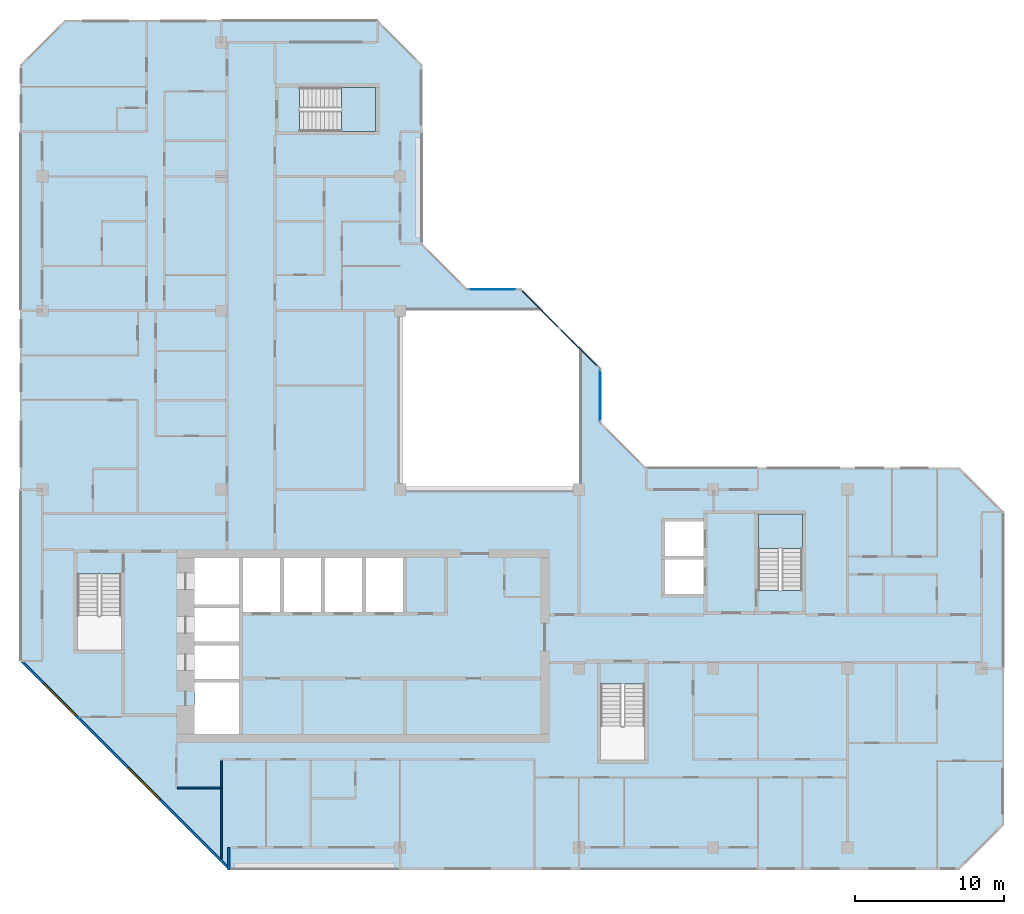
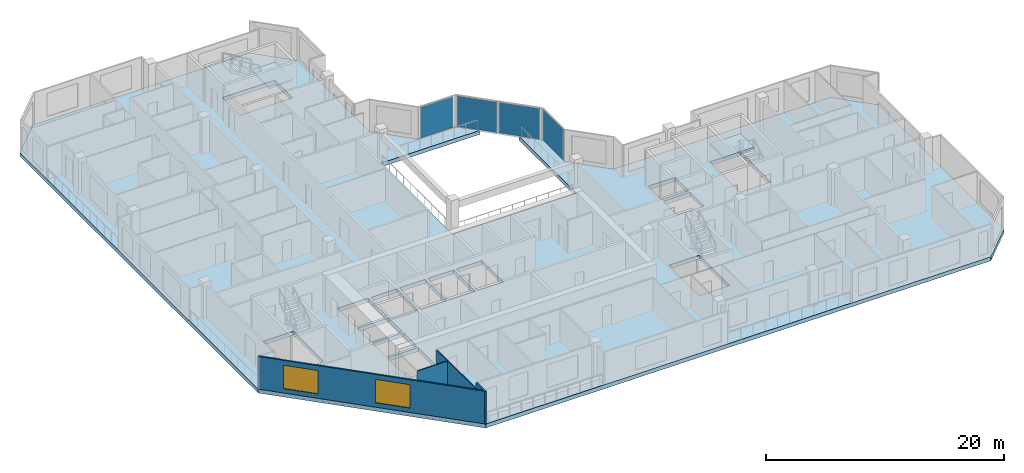
# One storey, part 3 of 13: 4 plates, 4 walls, 3 slabs, 2 windows, 2 openings, 5 elements without a shape of their own.
"""IFC4 building model written with IfcOpenShell, lengths in metres."""

from ifc_helpers import new_model, si_unit, direction, frame, frame_2d, origin, origin_2d, place, context, subcontext, project, spatial, polyline, rectangle, outline, extrude, material, layer, layer_set, type_object, element, fill, aggregate, save


model = new_model("IFC4")

# Units and contexts
model_context = context("Model", 3, precision=1e-05, world=origin(), true_north=direction((0.0, 1.0)))
body_context = subcontext(model_context, "Body", "Model", "MODEL_VIEW")
ifc_project = project(units=[si_unit("LENGTHUNIT", "METRE"), si_unit("AREAUNIT", "SQUARE_METRE"), si_unit("VOLUMEUNIT", "CUBIC_METRE"), si_unit("PLANEANGLEUNIT", "RADIAN"), si_unit("MASSUNIT", "GRAM", prefix="KILO")], contexts=[model_context])

# Site, building, storey
site_placement = place(None, origin())
site = spatial("IfcSite", under=ifc_project, at=site_placement, CompositionType="ELEMENT")
building_placement = place(site_placement, origin())
building = spatial("IfcBuilding", under=site, at=building_placement, Name="Chenar Terraces", CompositionType="ELEMENT")
storey_placement = place(building_placement, frame((0.0, 0.0, 314.64990234375)))
storey = spatial("IfcBuildingStorey", under=building, at=storey_placement, Name="L74", CompositionType="ELEMENT", Elevation=314.64990234375)

# Curtain wall, plate
ifc_material_1 = material(Name="Aluminium framed glazing", Category="aluminium")
ifc_layer_1 = layer(ifc_material_1, 0.14990234375)
ifc_layer_set_1 = layer_set([ifc_layer_1], Name="Aluminium framed glazing")
curtain_wall_type = type_object("IfcCurtainWallType", Name="Atrium upper-zone curtain wall", PredefinedType="NOTDEFINED", material=ifc_layer_set_1)
placement_1 = place(storey_placement, origin())
curtain_wall_1 = element("IfcCurtainWall", 1, at=placement_1, inside=storey, type_object=curtain_wall_type, Name="Atrium upper-zone curtain wall", PredefinedType="NOTDEFINED")
ifc_material_2 = material(Name="Low emissivity laminated glass, solar control coating", Category="glass")
ifc_layer_2 = layer(ifc_material_2, 0.050048828125)
ifc_layer_set_2 = layer_set([ifc_layer_2], Name="Low emissivity laminated glass, solar control coating")
plate_type = type_object("IfcPlateType", Name="Atrium upper-zone glazing panel 50", PredefinedType="CURTAIN_PANEL", material=ifc_layer_set_2)
plate_1_placement = place(storey_placement, frame((37.425048828125, 30.300048828125, 0.10009765625), z_axis=(0.0, 0.0, 1.0), x_axis=(0.0, 1.0, 0.0)))
plate_1 = element("IfcPlate", 2, at=plate_1_placement, type_object=plate_type, Name="CW8-1 panel 1.1", PredefinedType="CURTAIN_PANEL", context=body_context, shape_type="SweptSolid", body=[
    extrude(rectangle(XDim=3.39990234375, YDim=0.050048828125, at=origin_2d()), origin(), (0.0, 0.0, 1.0), 3.14990234375),
])
aggregate(curtain_wall_1, [plate_1])

# Curtain wall, plates
curtain_wall_2 = element("IfcCurtainWall", 3, at=placement_1, inside=storey, type_object=curtain_wall_type, Name="Atrium upper-zone curtain wall", PredefinedType="NOTDEFINED")
plate_2_placement = place(storey_placement, frame((35.97314453125, 33.520751953125, 0.10009765625), z_axis=(0.0, 0.0, 1.0), x_axis=(-0.707106781187, 0.707106781187, 0.0)))
plate_2 = element("IfcPlate", 4, at=plate_2_placement, type_object=plate_type, Name="CW8-2 panel 1.1", PredefinedType="CURTAIN_PANEL", context=body_context, shape_type="SweptSolid", body=[
    extrude(rectangle(XDim=3.568359375, YDim=0.050048828125, at=origin_2d()), origin(), (0.0, 0.0, 1.0), 3.14990234375),
])
plate_3_placement = place(storey_placement, frame((33.379150390625, 36.11474609375, 0.10009765625), z_axis=(0.0, 0.0, 1.0), x_axis=(-0.707106781187, 0.707106781187, 0.0)))
plate_3 = element("IfcPlate", 5, at=plate_3_placement, type_object=plate_type, Name="CW8-2 panel 2.1", PredefinedType="CURTAIN_PANEL", context=body_context, shape_type="SweptSolid", body=[
    extrude(rectangle(XDim=3.568359375, YDim=0.050048828125, at=origin_2d()), origin(), (0.0, 0.0, 1.0), 3.14990234375),
])
aggregate(curtain_wall_2, [plate_2, plate_3])

# Curtain wall, plate
curtain_wall_3 = element("IfcCurtainWall", 6, at=placement_1, inside=storey, type_object=curtain_wall_type, Name="Atrium upper-zone curtain wall", PredefinedType="NOTDEFINED")
plate_4_placement = place(storey_placement, frame((30.199951171875, 37.425048828125, 0.10009765625), z_axis=(0.0, 0.0, 1.0), x_axis=(-1.0, 0.0, 0.0)))
plate_4 = element("IfcPlate", 7, at=plate_4_placement, type_object=plate_type, Name="CW8-3 panel 1.1", PredefinedType="CURTAIN_PANEL", context=body_context, shape_type="SweptSolid", body=[
    extrude(rectangle(XDim=3.199951171875, YDim=0.050048828125, at=origin_2d()), origin(), (0.0, 0.0, 1.0), 3.14990234375),
])
aggregate(curtain_wall_3, [plate_4])

# Stair, slab
ifc_material_3 = material(Name="Reinforced concrete C40/50", Category="concrete")
stair_type = type_object("IfcStairType", Name="Core stair 1400 half-turn", PredefinedType="HALF_TURN_STAIR", material=ifc_material_3)
stair_1 = element("IfcStair", 8, at=placement_1, inside=storey, type_object=stair_type, Name="L74 Stair 3", PredefinedType="HALF_TURN_STAIR")
ifc_material_4 = material(Name="Reinforced concrete C40/50", Category="concrete")
ifc_layer_3 = layer(ifc_material_4, 0.199951171875)
ifc_layer_set_3 = layer_set([ifc_layer_3], Name="Reinforced concrete C40/50")
slab_type_1 = type_object("IfcSlabType", Name="Core stair landing 200", PredefinedType="LANDING", material=ifc_layer_set_3)
placement_2 = place(storey_placement, frame((0.0, 0.0, 1.675048828125)))
slab_1 = element("IfcSlab", 9, at=placement_2, type_object=slab_type_1, Name="ST3 landing 1", PredefinedType="LANDING", context=body_context, shape_type="SweptSolid", body=[
    extrude(outline(polyline([(50.97509765625, 20.050048828125), (50.97509765625, 22.35009765625), (48.02490234375, 22.35009765625), (48.02490234375, 20.050048828125), (50.97509765625, 20.050048828125)])), origin(), (0.0, 0.0, 1.0), 0.199951171875),
])
aggregate(stair_1, [slab_1])

stair_2 = element("IfcStair", 10, at=placement_1, inside=storey, type_object=stair_type, Name="L74 Stair 4", PredefinedType="HALF_TURN_STAIR")
slab_2 = element("IfcSlab", 11, at=placement_2, type_object=slab_type_1, Name="ST4 landing 1", PredefinedType="LANDING", context=body_context, shape_type="SweptSolid", body=[
    extrude(outline(polyline([(20.050048828125, 48.02490234375), (22.35009765625, 48.02490234375), (22.35009765625, 50.97509765625), (20.050048828125, 50.97509765625), (20.050048828125, 48.02490234375)])), origin(), (0.0, 0.0, 1.0), 0.199951171875),
])
aggregate(stair_2, [slab_2])

# Slab
ifc_material_5 = material(Name="Concrete C40/50", Category="concrete")
ifc_layer_4 = layer(ifc_material_5, 0.39990234375)
ifc_layer_set_4 = layer_set([ifc_layer_4], Name="Concrete C40/50")
slab_type_2 = type_object("IfcSlabType", Name="Floor slab 400 Concrete C40/50", PredefinedType="FLOOR", material=ifc_layer_set_4)
slab_3_placement = place(storey_placement, frame((0.0, 0.0, -0.39990234375)))
element("IfcSlab", 12, at=slab_3_placement, inside=storey, type_object=slab_type_2, Name="Floor slab L74", PredefinedType="FLOOR", context=body_context, shape_type="SweptSolid", body=[
    extrude(outline(polyline([(64.5, 22.5), (64.5, 1.5), (61.5, -1.5), (12.5, -1.5), (-1.5, 12.5), (-1.5, 52.5), (1.5, 55.5), (22.5, 55.5), (25.5, 52.5), (25.5, 40.5), (28.5, 37.5), (32.10009765625, 37.5), (33.60009765625, 36.0), (24.0, 36.0), (24.0, 24.0), (36.0, 24.0), (36.0, 33.60009765625), (37.5, 32.10009765625), (37.5, 28.5), (40.5, 25.5), (61.5, 25.5), (64.5, 22.5)]), holes=[polyline([(10.199951171875, 11.050048828125), (10.199951171875, 7.60009765625), (13.199951171875, 7.60009765625), (13.199951171875, 11.050048828125), (10.199951171875, 11.050048828125)]), polyline([(13.199951171875, 13.550048828125), (10.199951171875, 13.550048828125), (10.199951171875, 11.300048828125), (13.199951171875, 11.300048828125), (13.199951171875, 13.550048828125)]), polyline([(13.199951171875, 16.050048828125), (10.199951171875, 16.050048828125), (10.199951171875, 13.800048828125), (13.199951171875, 13.800048828125), (13.199951171875, 16.050048828125)]), polyline([(2.35009765625, 13.25), (5.300048828125, 13.25), (5.300048828125, 18.35009765625), (2.35009765625, 18.35009765625), (2.35009765625, 13.25)]), polyline([(15.949951171875, 19.39990234375), (13.449951171875, 19.39990234375), (13.449951171875, 15.800048828125), (15.949951171875, 15.800048828125), (15.949951171875, 19.39990234375)]), polyline([(18.699951171875, 19.39990234375), (16.199951171875, 19.39990234375), (16.199951171875, 15.800048828125), (18.699951171875, 15.800048828125), (18.699951171875, 19.39990234375)]), polyline([(13.199951171875, 19.39990234375), (10.199951171875, 19.39990234375), (10.199951171875, 16.300048828125), (13.199951171875, 16.300048828125), (13.199951171875, 19.39990234375)]), polyline([(22.35009765625, 48.02490234375), (22.35009765625, 50.97509765625), (17.25, 50.97509765625), (17.25, 48.02490234375), (22.35009765625, 48.02490234375)]), polyline([(37.449951171875, 5.85009765625), (40.39990234375, 5.85009765625), (40.39990234375, 10.949951171875), (37.449951171875, 10.949951171875), (37.449951171875, 5.85009765625)]), polyline([(21.449951171875, 19.39990234375), (18.949951171875, 19.39990234375), (18.949951171875, 15.800048828125), (21.449951171875, 15.800048828125), (21.449951171875, 19.39990234375)]), polyline([(24.199951171875, 19.39990234375), (21.699951171875, 19.39990234375), (21.699951171875, 15.800048828125), (24.199951171875, 15.800048828125), (24.199951171875, 19.39990234375)]), polyline([(44.35009765625, 19.300048828125), (41.75, 19.300048828125), (41.75, 17.0), (44.35009765625, 17.0), (44.35009765625, 19.300048828125)]), polyline([(50.97509765625, 22.35009765625), (48.02490234375, 22.35009765625), (48.02490234375, 17.25), (50.97509765625, 17.25), (50.97509765625, 22.35009765625)]), polyline([(44.35009765625, 21.85009765625), (41.75, 21.85009765625), (41.75, 19.550048828125), (44.35009765625, 19.550048828125), (44.35009765625, 21.85009765625)])]), origin(), (0.0, 0.0, 1.0), 0.39990234375),
])

# Walls
ifc_material_6 = material(Name="Gypsum board on steel studs", Category="steel")
ifc_layer_5 = layer(ifc_material_6, 0.10009765625)
ifc_layer_set_5 = layer_set([ifc_layer_5], Name="Gypsum board on steel studs")
wall_type_1 = type_object("IfcWallType", Name="Gypsum partition 100", PredefinedType="PARTITIONING", material=ifc_layer_set_5)
wall_1_placement = place(storey_placement, frame((9.050048828125, 4.0, 0.0), z_axis=(0.0, 0.0, 1.0), x_axis=(1.0, 0.0, 0.0)))
element("IfcWall", 13, at=wall_1_placement, inside=storey, type_object=wall_type_1, Name="Partition L74-031", PredefinedType="PARTITIONING", context=body_context, shape_type="SweptSolid", body=[
    extrude(rectangle(XDim=2.89990234375, YDim=0.10009765625, at=frame_2d((1.449951171875, 0.0))), origin(), (0.0, 0.0, 1.0), 3.35009765625),
])
wall_2_placement = place(storey_placement, frame((12.0, -0.787841796875, 0.0), z_axis=(0.0, 0.0, 1.0), x_axis=(0.0, 1.0, 0.0)))
element("IfcWall", 14, at=wall_2_placement, inside=storey, type_object=wall_type_1, Name="Partition L74-033", PredefinedType="PARTITIONING", context=body_context, shape_type="SweptSolid", body=[
    extrude(rectangle(XDim=6.61279296875, YDim=0.10009765625, at=frame_2d((3.306396484375, 0.0))), origin(), (0.0, 0.0, 1.0), 3.35009765625),
])
ifc_material_7 = material(Name="Terracotta cladding on insulated backing", Category="masonry")
ifc_layer_6 = layer(ifc_material_7, 0.14990234375)
ifc_layer_set_6 = layer_set([ifc_layer_6], Name="Terracotta cladding on insulated backing")
wall_type_2 = type_object("IfcWallType", Name="Loggia return wall 150", PredefinedType="SOLIDWALL", material=ifc_layer_set_6)
wall_3_placement = place(storey_placement, frame((12.5, -1.5, 0.0), z_axis=(0.0, 0.0, 1.0), x_axis=(0.0, 1.0, 0.0)))
element("IfcWall", 15, at=wall_3_placement, inside=storey, type_object=wall_type_2, Name="Loggia return wall", PredefinedType="SOLIDWALL", context=body_context, shape_type="SweptSolid", body=[
    extrude(rectangle(XDim=1.5, YDim=0.14990234375, at=frame_2d((0.75, 0.0))), origin(), (0.0, 0.0, 1.0), 3.35009765625),
])

# Wall, openings, windows
ifc_material_8 = material(Name="Terracotta cladding on insulated backing", Category="masonry")
ifc_layer_7 = layer(ifc_material_8, 0.14990234375)
ifc_layer_set_7 = layer_set([ifc_layer_7], Name="Terracotta cladding on insulated backing")
wall_type_3 = type_object("IfcWallType", Name="Terracotta rainscreen wall 150", PredefinedType="SOLIDWALL", material=ifc_layer_set_7)
wall_4_placement = place(storey_placement, frame((-1.447021484375, 12.552978515625, 0.0), z_axis=(0.0, 0.0, 1.0), x_axis=(0.707106781187, -0.707106781187, 0.0)))
wall_4 = element("IfcWall", 16, at=wall_4_placement, inside=storey, type_object=wall_type_3, Name="Terracotta rainscreen wall", PredefinedType="SOLIDWALL", context=body_context, shape_type="SweptSolid", body=[
    extrude(rectangle(XDim=19.799072265625, YDim=0.14990234375, at=frame_2d((9.8994140625, 0.0))), origin(), (0.0, 0.0, 1.0), 3.35009765625),
])
opening_1_placement = place(wall_4_placement, frame((2.21240234375, 0.0, 0.449951171875)))
opening_1 = element("IfcOpeningElement", 17, at=opening_1_placement, cuts=wall_4, Name="Opening W300x240", PredefinedType="OPENING", context=body_context, shape_type="SweptSolid", body=[
    extrude(rectangle(XDim=3.0, YDim=2.39990234375, at=frame_2d((1.5, 1.199951171875))), frame((0.0, 0.0849609375, 0.0), z_axis=(0.0, -1.0, 0.0), x_axis=(1.0, 0.0, 0.0)), (0.0, 0.0, 1.0), 0.169921875),
])
opening_2_placement = place(wall_4_placement, frame((10.215576171875, 0.0, 0.449951171875)))
opening_2 = element("IfcOpeningElement", 18, at=opening_2_placement, cuts=wall_4, Name="Opening W300x240", PredefinedType="OPENING", context=body_context, shape_type="SweptSolid", body=[
    extrude(rectangle(XDim=3.0, YDim=2.39990234375, at=frame_2d((1.5, 1.199951171875))), frame((0.0, 0.0849609375, 0.0), z_axis=(0.0, -1.0, 0.0), x_axis=(1.0, 0.0, 0.0)), (0.0, 0.0, 1.0), 0.169921875),
])
ifc_material_9 = material(Name="Low emissivity double glazing, aluminium frame", Category="aluminium")
window_type = type_object("IfcWindowType", Name="Fixed light 3000 x 2400", PartitioningType="SINGLE_PANEL", PredefinedType="WINDOW", material=ifc_material_9)
window_1_placement = place(opening_1_placement, origin())
window_1 = element("IfcWindow", 19, at=window_1_placement, inside=storey, type_object=window_type, Name="Window", OverallHeight=2.39990234375, OverallWidth=3.0, PartitioningType="SINGLE_PANEL", PredefinedType="WINDOW", context=body_context, shape_type="SweptSolid", body=[
    extrude(rectangle(XDim=3.0, YDim=2.39990234375, at=frame_2d((1.5, 1.199951171875))), frame((0.0, 0.030029296875, 0.0), z_axis=(0.0, -1.0, 0.0), x_axis=(1.0, 0.0, 0.0)), (0.0, 0.0, 1.0), 0.06005859375),
])
fill(opening_1, window_1)
window_2_placement = place(opening_2_placement, origin())
window_2 = element("IfcWindow", 20, at=window_2_placement, inside=storey, type_object=window_type, Name="Window", OverallHeight=2.39990234375, OverallWidth=3.0, PartitioningType="SINGLE_PANEL", PredefinedType="WINDOW", context=body_context, shape_type="SweptSolid", body=[
    extrude(rectangle(XDim=3.0, YDim=2.39990234375, at=frame_2d((1.5, 1.199951171875))), frame((0.0, 0.030029296875, 0.0), z_axis=(0.0, -1.0, 0.0), x_axis=(1.0, 0.0, 0.0)), (0.0, 0.0, 1.0), 0.06005859375),
])
fill(opening_2, window_2)

save(model, "model.ifc")
